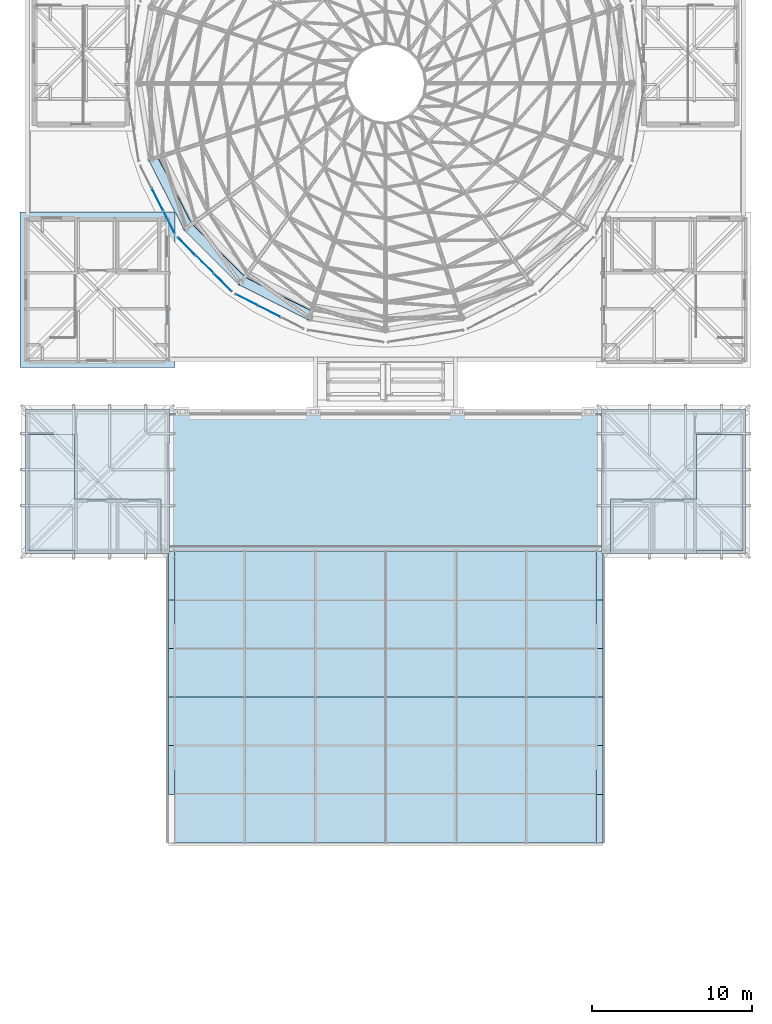
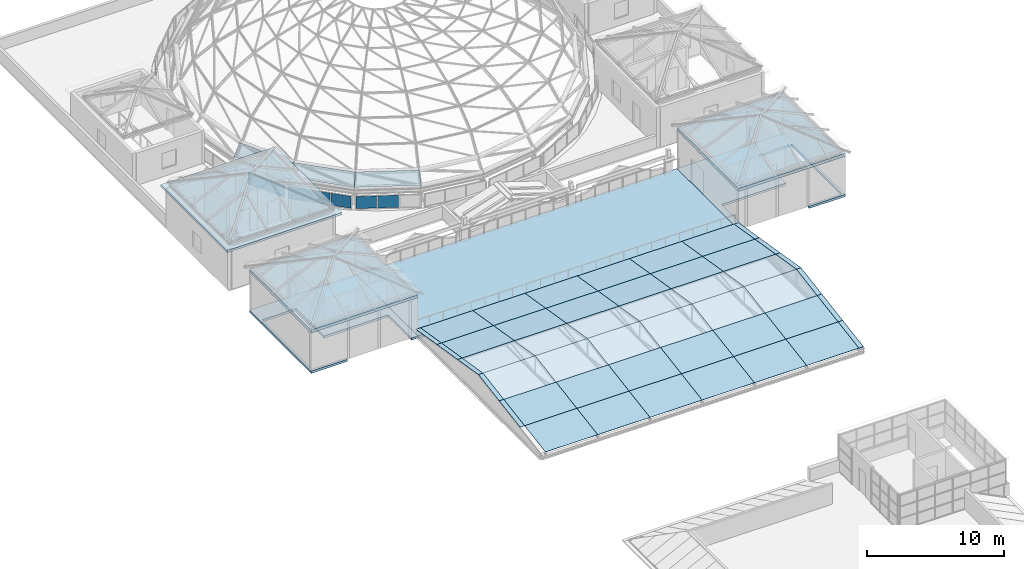
# One storey, part 41 of 69: 57 plates, 6 slabs, 3 elements without a shape of their own.
"""IFC4 building model written with IfcOpenShell, lengths in metres."""

from ifc_helpers import new_model, si_unit, direction, frame, origin, origin_2d, place, context, subcontext, project, spatial, polyline, rectangle, outline, extrude, material, layer, layer_set, type_object, element, aggregate, save


model = new_model("IFC4")

# Units and contexts
model_context = context("Model", 3, precision=1e-05, world=origin(), true_north=direction((0.0, 1.0)))
body_context = subcontext(model_context, "Body", "Model", "MODEL_VIEW")
ifc_project = project(units=[si_unit("LENGTHUNIT", "METRE"), si_unit("AREAUNIT", "SQUARE_METRE"), si_unit("VOLUMEUNIT", "CUBIC_METRE"), si_unit("PLANEANGLEUNIT", "RADIAN"), si_unit("MASSUNIT", "GRAM", prefix="KILO")], contexts=[model_context])

# Site, building, storey
site_placement = place(None, origin())
site = spatial("IfcSite", under=ifc_project, at=site_placement, CompositionType="ELEMENT")
building_placement = place(site_placement, origin())
building = spatial("IfcBuilding", under=site, at=building_placement, Name="Kallimachos Central Library", CompositionType="ELEMENT")
storey_placement = place(building_placement, frame((0.0, 0.0, 23.39990234375)))
storey = spatial("IfcBuildingStorey", under=building, at=storey_placement, Name="L05", CompositionType="ELEMENT", Elevation=23.39990234375)

# Slabs
ifc_material_1 = material(Name="Composite slab C30/37 on steel deck", Category="concrete")
ifc_layer_1 = layer(ifc_material_1, 0.199951171875)
ifc_layer_set_1 = layer_set([ifc_layer_1], Name="Composite floor slab 200")
slab_type_1 = type_object("IfcSlabType", Name="Composite floor slab 200", PredefinedType="FLOOR", material=ifc_layer_set_1)
slab_1_placement = place(storey_placement, frame((0.0, 0.0, -0.199951171875)))
element("IfcSlab", 1, at=slab_1_placement, inside=storey, type_object=slab_type_1, Name="V4-SLB-L05-003", PredefinedType="FLOOR", context=body_context, shape_type="SweptSolid", body=[
    extrude(outline(polyline([(65.5, 75.0), (65.5, 84.0), (74.5, 84.0), (74.5, 75.0), (73.949951171875, 75.0), (73.949951171875, 78.39990234375), (68.550048828125, 78.39990234375), (68.550048828125, 82.446044921875), (65.699951171875, 82.446044921875), (65.699951171875, 75.199951171875), (68.550048828125, 75.199951171875), (68.550048828125, 75.0), (65.5, 75.0)])), origin(), (0.0, 0.0, 1.0), 0.199951171875),
])
slab_2_placement = place(storey_placement, frame((0.0, 0.0, -0.199951171875)))
element("IfcSlab", 2, at=slab_2_placement, inside=storey, type_object=slab_type_1, Name="V4-SLB-L05-005", PredefinedType="FLOOR", context=body_context, shape_type="SweptSolid", body=[
    extrude(outline(polyline([(101.5, 75.0), (101.5, 84.0), (110.5, 84.0), (110.5, 75.0), (107.449951171875, 75.0), (107.449951171875, 75.199951171875), (110.300048828125, 75.199951171875), (110.300048828125, 82.446044921875), (107.449951171875, 82.446044921875), (107.449951171875, 78.39990234375), (102.050048828125, 78.39990234375), (102.050048828125, 75.0), (101.5, 75.0)])), origin(), (0.0, 0.0, 1.0), 0.199951171875),
])

# Plates
ifc_material_2 = material(Name="Laminated glass", Category="glass")
ifc_layer_2 = layer(ifc_material_2, 0.030029296875)
ifc_layer_set_2 = layer_set([ifc_layer_2], Name="Dome glass panel 30")
plate_type_1 = type_object("IfcPlateType", Name="Dome glass panel 30", PredefinedType="SHEET", material=ifc_layer_set_2)
plate_1_placement = place(storey_placement, frame((73.75732421875, 99.772216796875, 2.46484375), z_axis=(-0.762156157911, -0.388323491085, 0.517998896938), x_axis=(-0.497096673759, -0.16156507796, -0.852520746094)))
element("IfcPlate", 3, at=plate_1_placement, inside=storey, type_object=plate_type_1, Name="Dome glass panel", PredefinedType="SHEET", context=body_context, shape_type="SweptSolid", body=[
    extrude(outline(polyline([(0.0, 0.0), (1.1255171121794925, 1.3877787807814457e-17), (0.7275587673407027, 4.853086050849751), (-0.3827986788748875, 4.669731141649432), (0.0, 0.0)])), origin(), (0.0, 0.0, -1.0), 0.030029296875),
])
plate_2_placement = place(storey_placement, frame((75.88427734375, 95.597412109375, 2.46484375), z_axis=(-0.604845084518, -0.604866940595, 0.517975296621), x_axis=(-0.422852266894, -0.307224408107, -0.852531010255)))
element("IfcPlate", 4, at=plate_2_placement, inside=storey, type_object=plate_type_1, Name="Dome glass panel", PredefinedType="SHEET", context=body_context, shape_type="SweptSolid", body=[
    extrude(outline(polyline([(0.0, 0.0), (1.1253944580949489, -5.551115123125783e-17), (0.727246186529945, 4.853341685785863), (-0.3831769765637092, 4.669751153116319), (0.0, 0.0)])), origin(), (0.0, 0.0, -1.0), 0.030029296875),
])
plate_3_placement = place(storey_placement, frame((79.197509765625, 92.284423828125, 2.46484375), z_axis=(-0.388321336757, -0.76210903501, 0.51806983909), x_axis=(-0.307159050153, -0.422996369886, -0.852483072543)))
element("IfcPlate", 5, at=plate_3_placement, inside=storey, type_object=plate_type_1, Name="Dome glass panel", PredefinedType="SHEET", context=body_context, shape_type="SweptSolid", body=[
    extrude(outline(polyline([(0.0, 0.0), (1.125497707858492, 0.0), (0.7279656397542743, 4.8531209882712085), (-0.3825323209968474, 4.669864174572673), (0.0, 0.0)])), origin(), (0.0, 0.0, -1.0), 0.030029296875),
])

# Slabs
ifc_material_3 = material(Name="Concrete C30/37", Category="concrete")
ifc_layer_3 = layer(ifc_material_3, 0.199951171875)
ifc_layer_set_3 = layer_set([ifc_layer_3], Name="Head-house roof slab 200")
slab_type_2 = type_object("IfcSlabType", Name="Head-house roof slab 200", PredefinedType="ROOF", material=ifc_layer_set_3)
slab_3_placement = place(storey_placement, frame((0.0, 0.0, 3.60009765625)))
element("IfcSlab", 6, at=slab_3_placement, inside=storey, type_object=slab_type_2, Name="Head-house roof and cornice V1-SW", PredefinedType="ROOF", context=body_context, shape_type="SweptSolid", body=[
    extrude(outline(polyline([(65.14990234375, 86.64990234375), (74.85009765625, 86.64990234375), (74.85009765625, 96.35009765625), (65.14990234375, 96.35009765625), (65.14990234375, 86.64990234375)])), origin(), (0.0, 0.0, 1.0), 0.199951171875),
])
ifc_material_4 = material(Name="Concrete C30/37", Category="concrete")
ifc_layer_4 = layer(ifc_material_4, 0.25)
ifc_layer_set_4 = layer_set([ifc_layer_4], Name="Head-house roof slab 250")
slab_type_3 = type_object("IfcSlabType", Name="Head-house roof slab 250", PredefinedType="ROOF", material=ifc_layer_set_4)
slab_4_placement = place(storey_placement, frame((0.0, 0.0, 3.400146484375)))
element("IfcSlab", 7, at=slab_4_placement, inside=storey, type_object=slab_type_3, Name="V4-SLB-L05-002", PredefinedType="ROOF", context=body_context, shape_type="SweptSolid", body=[
    extrude(outline(polyline([(65.5, 75.0), (74.5, 75.0), (74.5, 84.0), (65.5, 84.0), (65.5, 75.0)])), origin(), (0.0, 0.0, 1.0), 0.25),
])
slab_5_placement = place(storey_placement, frame((0.0, 0.0, 3.400146484375)))
element("IfcSlab", 8, at=slab_5_placement, inside=storey, type_object=slab_type_3, Name="V4-SLB-L05-004", PredefinedType="ROOF", context=body_context, shape_type="SweptSolid", body=[
    extrude(outline(polyline([(101.5, 75.0), (110.5, 75.0), (110.5, 84.0), (101.5, 84.0), (101.5, 75.0)])), origin(), (0.0, 0.0, 1.0), 0.25),
])

# Curtain wall, plates
ifc_material_5 = material(Name="Anodised aluminium and laminated glass", Category="aluminium")
ifc_layer_5 = layer(ifc_material_5, 0.159912109375)
ifc_layer_set_5 = layer_set([ifc_layer_5], Name="Glass box curtain wall")
curtain_wall_type = type_object("IfcCurtainWallType", Name="Glass box curtain wall", PredefinedType="NOTDEFINED", material=ifc_layer_set_5)
curtain_wall_1_placement = place(storey_placement, origin())
curtain_wall_1 = element("IfcCurtainWall", 9, at=curtain_wall_1_placement, inside=storey, type_object=curtain_wall_type, Name="Drum clerestory facet 12", PredefinedType="NOTDEFINED")
ifc_material_6 = material(Name="Laminated glass", Category="glass")
ifc_layer_6 = layer(ifc_material_6, 0.028076171875)
ifc_layer_set_6 = layer_set([ifc_layer_6], Name="Laminated glass panel 28")
plate_type_2 = type_object("IfcPlateType", Name="Laminated glass panel 28", PredefinedType="CURTAIN_PANEL", material=ifc_layer_set_6)
plate_4_placement = place(storey_placement, frame((73.743896484375, 97.13623046875, 0.06005859375), z_axis=(0.0, 0.0, 1.0), x_axis=(0.453990803653, -0.891006369337, 0.0)))
plate_4 = element("IfcPlate", 10, at=plate_4_placement, type_object=plate_type_2, Name="CW46 panel 2.1", PredefinedType="CURTAIN_PANEL", context=body_context, shape_type="SweptSolid", body=[
    extrude(rectangle(XDim=1.54931640625, YDim=0.028076171875, at=origin_2d()), origin(), (0.0, 0.0, 1.0), 1.080078125),
])
plate_5_placement = place(storey_placement, frame((74.4677734375, 95.715576171875, 0.06005859375), z_axis=(0.0, 0.0, 1.0), x_axis=(0.453990803653, -0.891006369337, 0.0)))
plate_5 = element("IfcPlate", 11, at=plate_5_placement, type_object=plate_type_2, Name="CW46 panel 3.1", PredefinedType="CURTAIN_PANEL", context=body_context, shape_type="SweptSolid", body=[
    extrude(rectangle(XDim=1.51953125, YDim=0.028076171875, at=origin_2d()), origin(), (0.0, 0.0, 1.0), 1.080078125),
])
aggregate(curtain_wall_1, [plate_4, plate_5])

curtain_wall_2_placement = place(storey_placement, origin())
curtain_wall_2 = element("IfcCurtainWall", 12, at=curtain_wall_2_placement, inside=storey, type_object=curtain_wall_type, Name="Drum clerestory facet 13", PredefinedType="NOTDEFINED")
plate_6_placement = place(storey_placement, frame((75.558837890625, 94.213623046875, 0.06005859375), z_axis=(0.0, 0.0, 1.0), x_axis=(0.707106781187, -0.707106781187, 0.0)))
plate_6 = element("IfcPlate", 13, at=plate_6_placement, type_object=plate_type_2, Name="CW47 panel 1.1", PredefinedType="CURTAIN_PANEL", context=body_context, shape_type="SweptSolid", body=[
    extrude(rectangle(XDim=1.51953125, YDim=0.028076171875, at=origin_2d()), origin(), (0.0, 0.0, 1.0), 1.080078125),
])
plate_7_placement = place(storey_placement, frame((76.686279296875, 93.086181640625, 0.06005859375), z_axis=(0.0, 0.0, 1.0), x_axis=(0.707106781187, -0.707106781187, 0.0)))
plate_7 = element("IfcPlate", 14, at=plate_7_placement, type_object=plate_type_2, Name="CW47 panel 2.1", PredefinedType="CURTAIN_PANEL", context=body_context, shape_type="SweptSolid", body=[
    extrude(rectangle(XDim=1.549560546875, YDim=0.028076171875, at=origin_2d()), origin(), (0.0, 0.0, 1.0), 1.080078125),
])
plate_8_placement = place(storey_placement, frame((77.813720703125, 91.958740234375, 0.06005859375), z_axis=(0.0, 0.0, 1.0), x_axis=(0.707106781187, -0.707106781187, 0.0)))
plate_8 = element("IfcPlate", 15, at=plate_8_placement, type_object=plate_type_2, Name="CW47 panel 3.1", PredefinedType="CURTAIN_PANEL", context=body_context, shape_type="SweptSolid", body=[
    extrude(rectangle(XDim=1.51953125, YDim=0.028076171875, at=origin_2d()), origin(), (0.0, 0.0, 1.0), 1.080078125),
])
aggregate(curtain_wall_2, [plate_6, plate_7, plate_8])

curtain_wall_3_placement = place(storey_placement, origin())
curtain_wall_3 = element("IfcCurtainWall", 16, at=curtain_wall_3_placement, inside=storey, type_object=curtain_wall_type, Name="Drum clerestory facet 14", PredefinedType="NOTDEFINED")
plate_9_placement = place(storey_placement, frame((79.3154296875, 90.86767578125, 0.06005859375), z_axis=(0.0, 0.0, 1.0), x_axis=(0.891006369337, -0.453990803653, 0.0)))
plate_9 = element("IfcPlate", 17, at=plate_9_placement, type_object=plate_type_2, Name="CW48 panel 1.1", PredefinedType="CURTAIN_PANEL", context=body_context, shape_type="SweptSolid", body=[
    extrude(rectangle(XDim=1.51953125, YDim=0.028076171875, at=origin_2d()), origin(), (0.0, 0.0, 1.0), 1.080078125),
])
plate_10_placement = place(storey_placement, frame((80.736083984375, 90.143798828125, 0.06005859375), z_axis=(0.0, 0.0, 1.0), x_axis=(0.891006369337, -0.453990803653, 0.0)))
plate_10 = element("IfcPlate", 18, at=plate_10_placement, type_object=plate_type_2, Name="CW48 panel 2.1", PredefinedType="CURTAIN_PANEL", context=body_context, shape_type="SweptSolid", body=[
    extrude(rectangle(XDim=1.54931640625, YDim=0.028076171875, at=origin_2d()), origin(), (0.0, 0.0, 1.0), 1.080078125),
])
aggregate(curtain_wall_3, [plate_9, plate_10])

# Slab
ifc_material_7 = material(Name="Composite slab C30/37 on steel deck", Category="concrete")
ifc_layer_7 = layer(ifc_material_7, 0.25)
ifc_layer_set_7 = layer_set([ifc_layer_7], Name="Roof garden slab 250")
slab_type_4 = type_object("IfcSlabType", Name="Roof garden slab 250", PredefinedType="ROOF", material=ifc_layer_set_7)
slab_6_placement = place(storey_placement, frame((0.0, 0.0, -0.25)))
element("IfcSlab", 19, at=slab_6_placement, inside=storey, type_object=slab_type_4, Name="V4-SLB-L05-001", PredefinedType="ROOF", context=body_context, shape_type="SweptSolid", body=[
    extrude(outline(polyline([(74.5, 75.0), (74.5, 84.0), (101.5, 84.0), (101.5, 75.0), (74.5, 75.0)])), origin(), (0.0, 0.0, 1.0), 0.25),
])

# Plates
ifc_material_8 = material(Name="Laminated glass", Category="glass")
ifc_layer_8 = layer(ifc_material_8, 0.028076171875)
ifc_layer_set_8 = layer_set([ifc_layer_8], Name="Rooflight glass panel")
plate_type_3 = type_object("IfcPlateType", Name="Rooflight glass panel", PredefinedType="SHEET", material=ifc_layer_set_8)
plate_11_placement = place(storey_placement, frame((74.800048828125, 56.919921875, 0.521240234375), z_axis=(0.0, -0.162380035666, 0.986728292904), x_axis=(1.0, 0.0, 0.0)))
element("IfcPlate", 20, at=plate_11_placement, inside=storey, type_object=plate_type_3, Name="V4-PLT-L05-002", PredefinedType="SHEET", context=body_context, shape_type="SweptSolid", body=[
    extrude(outline(polyline([(0.0, 0.0), (4.39990234375, 0.0), (4.39990234375, 3.079196269099952), (0.0, 3.079196269099952), (0.0, 0.0)])), origin(), (0.0, 0.0, -1.0), 0.028076171875),
])
plate_12_placement = place(storey_placement, frame((79.199951171875, 56.919921875, 0.521240234375), z_axis=(0.0, -0.162380035666, 0.986728292904), x_axis=(1.0, 0.0, 0.0)))
element("IfcPlate", 21, at=plate_12_placement, inside=storey, type_object=plate_type_3, Name="V4-PLT-L05-003", PredefinedType="SHEET", context=body_context, shape_type="SweptSolid", body=[
    extrude(outline(polyline([(0.0, 0.0), (4.400146484375, 0.0), (4.400146484375, 3.079196269099952), (0.0, 3.079196269099952), (0.0, 0.0)])), origin(), (0.0, 0.0, -1.0), 0.028076171875),
])
for number, where, z_axis, x_axis, name in (
    (22, (83.60009765625, 56.919921875, 0.521240234375), (0.0, -0.162380035666, 0.986728292904), (1.0, 0.0, 0.0), "V4-PLT-L05-004"),
    (23, (88.0, 56.919921875, 0.521240234375), (0.0, -0.162380035666, 0.986728292904), (1.0, 0.0, 0.0), "V4-PLT-L05-005"),
):
    element("IfcPlate", number, at=place(storey_placement, frame(where, z_axis=z_axis, x_axis=x_axis)), inside=storey, type_object=plate_type_3, Name=name, PredefinedType="SHEET", context=body_context, shape_type="SweptSolid", body=[
        extrude(outline(polyline([(0.0, 0.0), (4.39990234375, 0.0), (4.39990234375, 3.079196269099952), (0.0, 3.079196269099952), (0.0, 0.0)])), origin(), (0.0, 0.0, -1.0), 0.028076171875),
    ])
plate_13_placement = place(storey_placement, frame((92.39990234375, 56.919921875, 0.521240234375), z_axis=(0.0, -0.162380035666, 0.986728292904), x_axis=(1.0, 0.0, 0.0)))
element("IfcPlate", 24, at=plate_13_placement, inside=storey, type_object=plate_type_3, Name="V4-PLT-L05-006", PredefinedType="SHEET", context=body_context, shape_type="SweptSolid", body=[
    extrude(outline(polyline([(0.0, 0.0), (4.400146484375, 0.0), (4.400146484375, 3.079196269099952), (0.0, 3.079196269099952), (0.0, 0.0)])), origin(), (0.0, 0.0, -1.0), 0.028076171875),
])
plate_14_placement = place(storey_placement, frame((96.800048828125, 56.919921875, 0.521240234375), z_axis=(0.0, -0.162380035666, 0.986728292904), x_axis=(1.0, 0.0, 0.0)))
element("IfcPlate", 25, at=plate_14_placement, inside=storey, type_object=plate_type_3, Name="V4-PLT-L05-007", PredefinedType="SHEET", context=body_context, shape_type="SweptSolid", body=[
    extrude(outline(polyline([(0.0, 0.0), (4.39990234375, 0.0), (4.39990234375, 3.079196269099952), (0.0, 3.079196269099952), (0.0, 0.0)])), origin(), (0.0, 0.0, -1.0), 0.028076171875),
])
for number, where, z_axis, x_axis, name in (
    (26, (101.199951171875, 56.919921875, 0.521240234375), (0.0, -0.162380035666, 0.986728292904), (1.0, 0.0, 0.0), "V4-PLT-L05-008"),
    (27, (74.419921875, 59.958251953125, 1.021240234375), (0.0, -0.162380035666, 0.986728292904), (1.0, 0.0, 0.0), "V4-PLT-L05-009"),
):
    element("IfcPlate", number, at=place(storey_placement, frame(where, z_axis=z_axis, x_axis=x_axis)), inside=storey, type_object=plate_type_3, Name=name, PredefinedType="SHEET", context=body_context, shape_type="SweptSolid", body=[
        extrude(outline(polyline([(0.0, 0.0), (0.380126953125, 0.0), (0.380126953125, 3.079196269099952), (0.0, 3.079196269099952), (0.0, 0.0)])), origin(), (0.0, 0.0, -1.0), 0.028076171875),
    ])
plate_15_placement = place(storey_placement, frame((74.800048828125, 59.958251953125, 1.021240234375), z_axis=(0.0, -0.162380035666, 0.986728292904), x_axis=(1.0, 0.0, 0.0)))
element("IfcPlate", 28, at=plate_15_placement, inside=storey, type_object=plate_type_3, Name="V4-PLT-L05-010", PredefinedType="SHEET", context=body_context, shape_type="SweptSolid", body=[
    extrude(outline(polyline([(0.0, 0.0), (4.39990234375, 0.0), (4.39990234375, 3.079196269099952), (0.0, 3.079196269099952), (0.0, 0.0)])), origin(), (0.0, 0.0, -1.0), 0.028076171875),
])
plate_16_placement = place(storey_placement, frame((79.199951171875, 59.958251953125, 1.021240234375), z_axis=(0.0, -0.162380035666, 0.986728292904), x_axis=(1.0, 0.0, 0.0)))
element("IfcPlate", 29, at=plate_16_placement, inside=storey, type_object=plate_type_3, Name="V4-PLT-L05-011", PredefinedType="SHEET", context=body_context, shape_type="SweptSolid", body=[
    extrude(outline(polyline([(0.0, 0.0), (4.400146484375, 0.0), (4.400146484375, 3.079196269099952), (0.0, 3.079196269099952), (0.0, 0.0)])), origin(), (0.0, 0.0, -1.0), 0.028076171875),
])
for number, where, z_axis, x_axis, name in (
    (30, (83.60009765625, 59.958251953125, 1.021240234375), (0.0, -0.162380035666, 0.986728292904), (1.0, 0.0, 0.0), "V4-PLT-L05-012"),
    (31, (88.0, 59.958251953125, 1.021240234375), (0.0, -0.162380035666, 0.986728292904), (1.0, 0.0, 0.0), "V4-PLT-L05-013"),
):
    element("IfcPlate", number, at=place(storey_placement, frame(where, z_axis=z_axis, x_axis=x_axis)), inside=storey, type_object=plate_type_3, Name=name, PredefinedType="SHEET", context=body_context, shape_type="SweptSolid", body=[
        extrude(outline(polyline([(0.0, 0.0), (4.39990234375, 0.0), (4.39990234375, 3.079196269099952), (0.0, 3.079196269099952), (0.0, 0.0)])), origin(), (0.0, 0.0, -1.0), 0.028076171875),
    ])
plate_17_placement = place(storey_placement, frame((92.39990234375, 59.958251953125, 1.021240234375), z_axis=(0.0, -0.162380035666, 0.986728292904), x_axis=(1.0, 0.0, 0.0)))
element("IfcPlate", 32, at=plate_17_placement, inside=storey, type_object=plate_type_3, Name="V4-PLT-L05-014", PredefinedType="SHEET", context=body_context, shape_type="SweptSolid", body=[
    extrude(outline(polyline([(0.0, 0.0), (4.400146484375, 0.0), (4.400146484375, 3.079196269099952), (0.0, 3.079196269099952), (0.0, 0.0)])), origin(), (0.0, 0.0, -1.0), 0.028076171875),
])
plate_18_placement = place(storey_placement, frame((96.800048828125, 59.958251953125, 1.021240234375), z_axis=(0.0, -0.162380035666, 0.986728292904), x_axis=(1.0, 0.0, 0.0)))
element("IfcPlate", 33, at=plate_18_placement, inside=storey, type_object=plate_type_3, Name="V4-PLT-L05-015", PredefinedType="SHEET", context=body_context, shape_type="SweptSolid", body=[
    extrude(outline(polyline([(0.0, 0.0), (4.39990234375, 0.0), (4.39990234375, 3.079196269099952), (0.0, 3.079196269099952), (0.0, 0.0)])), origin(), (0.0, 0.0, -1.0), 0.028076171875),
])
for number, where, z_axis, x_axis, name in (
    (34, (101.199951171875, 59.958251953125, 1.021240234375), (0.0, -0.162380035666, 0.986728292904), (1.0, 0.0, 0.0), "V4-PLT-L05-016"),
    (35, (74.419921875, 62.99658203125, 1.521240234375), (0.0, -0.162380035666, 0.986728292904), (1.0, 0.0, 0.0), "V4-PLT-L05-017"),
):
    element("IfcPlate", number, at=place(storey_placement, frame(where, z_axis=z_axis, x_axis=x_axis)), inside=storey, type_object=plate_type_3, Name=name, PredefinedType="SHEET", context=body_context, shape_type="SweptSolid", body=[
        extrude(outline(polyline([(0.0, 0.0), (0.380126953125, 0.0), (0.380126953125, 3.079196269099952), (0.0, 3.079196269099952), (0.0, 0.0)])), origin(), (0.0, 0.0, -1.0), 0.028076171875),
    ])
plate_19_placement = place(storey_placement, frame((74.800048828125, 62.99658203125, 1.521240234375), z_axis=(0.0, -0.162380035666, 0.986728292904), x_axis=(1.0, 0.0, 0.0)))
element("IfcPlate", 36, at=plate_19_placement, inside=storey, type_object=plate_type_3, Name="V4-PLT-L05-018", PredefinedType="SHEET", context=body_context, shape_type="SweptSolid", body=[
    extrude(outline(polyline([(0.0, 0.0), (4.39990234375, 0.0), (4.39990234375, 3.079196269099952), (0.0, 3.079196269099952), (0.0, 0.0)])), origin(), (0.0, 0.0, -1.0), 0.028076171875),
])
plate_20_placement = place(storey_placement, frame((79.199951171875, 62.99658203125, 1.521240234375), z_axis=(0.0, -0.162380035666, 0.986728292904), x_axis=(1.0, 0.0, 0.0)))
element("IfcPlate", 37, at=plate_20_placement, inside=storey, type_object=plate_type_3, Name="V4-PLT-L05-019", PredefinedType="SHEET", context=body_context, shape_type="SweptSolid", body=[
    extrude(outline(polyline([(0.0, 0.0), (4.400146484375, 0.0), (4.400146484375, 3.079196269099952), (0.0, 3.079196269099952), (0.0, 0.0)])), origin(), (0.0, 0.0, -1.0), 0.028076171875),
])
for number, where, z_axis, x_axis, name in (
    (38, (83.60009765625, 62.99658203125, 1.521240234375), (0.0, -0.162380035666, 0.986728292904), (1.0, 0.0, 0.0), "V4-PLT-L05-020"),
    (39, (88.0, 62.99658203125, 1.521240234375), (0.0, -0.162380035666, 0.986728292904), (1.0, 0.0, 0.0), "V4-PLT-L05-021"),
):
    element("IfcPlate", number, at=place(storey_placement, frame(where, z_axis=z_axis, x_axis=x_axis)), inside=storey, type_object=plate_type_3, Name=name, PredefinedType="SHEET", context=body_context, shape_type="SweptSolid", body=[
        extrude(outline(polyline([(0.0, 0.0), (4.39990234375, 0.0), (4.39990234375, 3.079196269099952), (0.0, 3.079196269099952), (0.0, 0.0)])), origin(), (0.0, 0.0, -1.0), 0.028076171875),
    ])
plate_21_placement = place(storey_placement, frame((92.39990234375, 62.99658203125, 1.521240234375), z_axis=(0.0, -0.162380035666, 0.986728292904), x_axis=(1.0, 0.0, 0.0)))
element("IfcPlate", 40, at=plate_21_placement, inside=storey, type_object=plate_type_3, Name="V4-PLT-L05-022", PredefinedType="SHEET", context=body_context, shape_type="SweptSolid", body=[
    extrude(outline(polyline([(0.0, 0.0), (4.400146484375, 0.0), (4.400146484375, 3.079196269099952), (0.0, 3.079196269099952), (0.0, 0.0)])), origin(), (0.0, 0.0, -1.0), 0.028076171875),
])
plate_22_placement = place(storey_placement, frame((96.800048828125, 62.99658203125, 1.521240234375), z_axis=(0.0, -0.162380035666, 0.986728292904), x_axis=(1.0, 0.0, 0.0)))
element("IfcPlate", 41, at=plate_22_placement, inside=storey, type_object=plate_type_3, Name="V4-PLT-L05-023", PredefinedType="SHEET", context=body_context, shape_type="SweptSolid", body=[
    extrude(outline(polyline([(0.0, 0.0), (4.39990234375, 0.0), (4.39990234375, 3.079196269099952), (0.0, 3.079196269099952), (0.0, 0.0)])), origin(), (0.0, 0.0, -1.0), 0.028076171875),
])
plate_23_placement = place(storey_placement, frame((101.199951171875, 62.99658203125, 1.521240234375), z_axis=(0.0, -0.162380035666, 0.986728292904), x_axis=(1.0, 0.0, 0.0)))
element("IfcPlate", 42, at=plate_23_placement, inside=storey, type_object=plate_type_3, Name="V4-PLT-L05-024", PredefinedType="SHEET", context=body_context, shape_type="SweptSolid", body=[
    extrude(outline(polyline([(0.0, 0.0), (0.380126953125, 0.0), (0.380126953125, 3.079196269099952), (0.0, 3.079196269099952), (0.0, 0.0)])), origin(), (0.0, 0.0, -1.0), 0.028076171875),
])
plate_24_placement = place(storey_placement, frame((74.419921875, 75.14990234375, 0.521240234375), z_axis=(0.0, 0.162380035666, 0.986728292904), x_axis=(1.0, 0.0, 0.0)))
element("IfcPlate", 43, at=plate_24_placement, inside=storey, type_object=plate_type_3, Name="V4-PLT-L05-025", PredefinedType="SHEET", context=body_context, shape_type="SweptSolid", body=[
    extrude(outline(polyline([(0.0, 0.0), (0.380126953125, 0.0), (0.380126953125, -3.079196269099952), (0.0, -3.079196269099952), (0.0, 0.0)])), origin(), (0.0, 0.0, -1.0), 0.028076171875),
])
plate_25_placement = place(storey_placement, frame((74.800048828125, 75.14990234375, 0.521240234375), z_axis=(0.0, 0.162380035666, 0.986728292904), x_axis=(1.0, 0.0, 0.0)))
element("IfcPlate", 44, at=plate_25_placement, inside=storey, type_object=plate_type_3, Name="V4-PLT-L05-026", PredefinedType="SHEET", context=body_context, shape_type="SweptSolid", body=[
    extrude(outline(polyline([(0.0, 0.0), (4.39990234375, 0.0), (4.39990234375, -3.079196269099952), (0.0, -3.079196269099952), (0.0, 0.0)])), origin(), (0.0, 0.0, -1.0), 0.028076171875),
])
plate_26_placement = place(storey_placement, frame((79.199951171875, 75.14990234375, 0.521240234375), z_axis=(0.0, 0.162380035666, 0.986728292904), x_axis=(1.0, 0.0, 0.0)))
element("IfcPlate", 45, at=plate_26_placement, inside=storey, type_object=plate_type_3, Name="V4-PLT-L05-027", PredefinedType="SHEET", context=body_context, shape_type="SweptSolid", body=[
    extrude(outline(polyline([(0.0, 0.0), (4.400146484375, 0.0), (4.400146484375, -3.079196269099952), (0.0, -3.079196269099952), (0.0, 0.0)])), origin(), (0.0, 0.0, -1.0), 0.028076171875),
])
for number, where, z_axis, x_axis, name in (
    (46, (83.60009765625, 75.14990234375, 0.521240234375), (0.0, 0.162380035666, 0.986728292904), (1.0, 0.0, 0.0), "V4-PLT-L05-028"),
    (47, (88.0, 75.14990234375, 0.521240234375), (0.0, 0.162380035666, 0.986728292904), (1.0, 0.0, 0.0), "V4-PLT-L05-029"),
):
    element("IfcPlate", number, at=place(storey_placement, frame(where, z_axis=z_axis, x_axis=x_axis)), inside=storey, type_object=plate_type_3, Name=name, PredefinedType="SHEET", context=body_context, shape_type="SweptSolid", body=[
        extrude(outline(polyline([(0.0, 0.0), (4.39990234375, 0.0), (4.39990234375, -3.079196269099952), (0.0, -3.079196269099952), (0.0, 0.0)])), origin(), (0.0, 0.0, -1.0), 0.028076171875),
    ])
plate_27_placement = place(storey_placement, frame((92.39990234375, 75.14990234375, 0.521240234375), z_axis=(0.0, 0.162380035666, 0.986728292904), x_axis=(1.0, 0.0, 0.0)))
element("IfcPlate", 48, at=plate_27_placement, inside=storey, type_object=plate_type_3, Name="V4-PLT-L05-030", PredefinedType="SHEET", context=body_context, shape_type="SweptSolid", body=[
    extrude(outline(polyline([(0.0, 0.0), (4.400146484375, 0.0), (4.400146484375, -3.079196269099952), (0.0, -3.079196269099952), (0.0, 0.0)])), origin(), (0.0, 0.0, -1.0), 0.028076171875),
])
plate_28_placement = place(storey_placement, frame((96.800048828125, 75.14990234375, 0.521240234375), z_axis=(0.0, 0.162380035666, 0.986728292904), x_axis=(1.0, 0.0, 0.0)))
element("IfcPlate", 49, at=plate_28_placement, inside=storey, type_object=plate_type_3, Name="V4-PLT-L05-031", PredefinedType="SHEET", context=body_context, shape_type="SweptSolid", body=[
    extrude(outline(polyline([(0.0, 0.0), (4.39990234375, 0.0), (4.39990234375, -3.079196269099952), (0.0, -3.079196269099952), (0.0, 0.0)])), origin(), (0.0, 0.0, -1.0), 0.028076171875),
])
for number, where, z_axis, x_axis, name in (
    (50, (101.199951171875, 75.14990234375, 0.521240234375), (0.0, 0.162380035666, 0.986728292904), (1.0, 0.0, 0.0), "V4-PLT-L05-032"),
    (51, (74.419921875, 72.111572265625, 1.021240234375), (0.0, 0.162380035666, 0.986728292904), (1.0, 0.0, 0.0), "V4-PLT-L05-033"),
):
    element("IfcPlate", number, at=place(storey_placement, frame(where, z_axis=z_axis, x_axis=x_axis)), inside=storey, type_object=plate_type_3, Name=name, PredefinedType="SHEET", context=body_context, shape_type="SweptSolid", body=[
        extrude(outline(polyline([(0.0, 0.0), (0.380126953125, 0.0), (0.380126953125, -3.079196269099952), (0.0, -3.079196269099952), (0.0, 0.0)])), origin(), (0.0, 0.0, -1.0), 0.028076171875),
    ])
plate_29_placement = place(storey_placement, frame((74.800048828125, 72.111572265625, 1.021240234375), z_axis=(0.0, 0.162380035666, 0.986728292904), x_axis=(1.0, 0.0, 0.0)))
element("IfcPlate", 52, at=plate_29_placement, inside=storey, type_object=plate_type_3, Name="V4-PLT-L05-034", PredefinedType="SHEET", context=body_context, shape_type="SweptSolid", body=[
    extrude(outline(polyline([(0.0, 0.0), (4.39990234375, 0.0), (4.39990234375, -3.079196269099952), (0.0, -3.079196269099952), (0.0, 0.0)])), origin(), (0.0, 0.0, -1.0), 0.028076171875),
])
plate_30_placement = place(storey_placement, frame((79.199951171875, 72.111572265625, 1.021240234375), z_axis=(0.0, 0.162380035666, 0.986728292904), x_axis=(1.0, 0.0, 0.0)))
element("IfcPlate", 53, at=plate_30_placement, inside=storey, type_object=plate_type_3, Name="V4-PLT-L05-035", PredefinedType="SHEET", context=body_context, shape_type="SweptSolid", body=[
    extrude(outline(polyline([(0.0, 0.0), (4.400146484375, 0.0), (4.400146484375, -3.079196269099952), (0.0, -3.079196269099952), (0.0, 0.0)])), origin(), (0.0, 0.0, -1.0), 0.028076171875),
])
for number, where, z_axis, x_axis, name in (
    (54, (83.60009765625, 72.111572265625, 1.021240234375), (0.0, 0.162380035666, 0.986728292904), (1.0, 0.0, 0.0), "V4-PLT-L05-036"),
    (55, (88.0, 72.111572265625, 1.021240234375), (0.0, 0.162380035666, 0.986728292904), (1.0, 0.0, 0.0), "V4-PLT-L05-037"),
):
    element("IfcPlate", number, at=place(storey_placement, frame(where, z_axis=z_axis, x_axis=x_axis)), inside=storey, type_object=plate_type_3, Name=name, PredefinedType="SHEET", context=body_context, shape_type="SweptSolid", body=[
        extrude(outline(polyline([(0.0, 0.0), (4.39990234375, 0.0), (4.39990234375, -3.079196269099952), (0.0, -3.079196269099952), (0.0, 0.0)])), origin(), (0.0, 0.0, -1.0), 0.028076171875),
    ])
plate_31_placement = place(storey_placement, frame((92.39990234375, 72.111572265625, 1.021240234375), z_axis=(0.0, 0.162380035666, 0.986728292904), x_axis=(1.0, 0.0, 0.0)))
element("IfcPlate", 56, at=plate_31_placement, inside=storey, type_object=plate_type_3, Name="V4-PLT-L05-038", PredefinedType="SHEET", context=body_context, shape_type="SweptSolid", body=[
    extrude(outline(polyline([(0.0, 0.0), (4.400146484375, 0.0), (4.400146484375, -3.079196269099952), (0.0, -3.079196269099952), (0.0, 0.0)])), origin(), (0.0, 0.0, -1.0), 0.028076171875),
])
plate_32_placement = place(storey_placement, frame((96.800048828125, 72.111572265625, 1.021240234375), z_axis=(0.0, 0.162380035666, 0.986728292904), x_axis=(1.0, 0.0, 0.0)))
element("IfcPlate", 57, at=plate_32_placement, inside=storey, type_object=plate_type_3, Name="V4-PLT-L05-039", PredefinedType="SHEET", context=body_context, shape_type="SweptSolid", body=[
    extrude(outline(polyline([(0.0, 0.0), (4.39990234375, 0.0), (4.39990234375, -3.079196269099952), (0.0, -3.079196269099952), (0.0, 0.0)])), origin(), (0.0, 0.0, -1.0), 0.028076171875),
])
for number, where, z_axis, x_axis, name in (
    (58, (101.199951171875, 72.111572265625, 1.021240234375), (0.0, 0.162380035666, 0.986728292904), (1.0, 0.0, 0.0), "V4-PLT-L05-040"),
    (59, (74.419921875, 69.0732421875, 1.521240234375), (0.0, 0.162380035666, 0.986728292904), (1.0, 0.0, 0.0), "V4-PLT-L05-041"),
):
    element("IfcPlate", number, at=place(storey_placement, frame(where, z_axis=z_axis, x_axis=x_axis)), inside=storey, type_object=plate_type_3, Name=name, PredefinedType="SHEET", context=body_context, shape_type="SweptSolid", body=[
        extrude(outline(polyline([(0.0, 0.0), (0.380126953125, 0.0), (0.380126953125, -3.079196269099952), (0.0, -3.079196269099952), (0.0, 0.0)])), origin(), (0.0, 0.0, -1.0), 0.028076171875),
    ])
plate_33_placement = place(storey_placement, frame((74.800048828125, 69.0732421875, 1.521240234375), z_axis=(0.0, 0.162380035666, 0.986728292904), x_axis=(1.0, 0.0, 0.0)))
element("IfcPlate", 60, at=plate_33_placement, inside=storey, type_object=plate_type_3, Name="V4-PLT-L05-042", PredefinedType="SHEET", context=body_context, shape_type="SweptSolid", body=[
    extrude(outline(polyline([(0.0, 0.0), (4.39990234375, 0.0), (4.39990234375, -3.079196269099952), (0.0, -3.079196269099952), (0.0, 0.0)])), origin(), (0.0, 0.0, -1.0), 0.028076171875),
])
plate_34_placement = place(storey_placement, frame((79.199951171875, 69.0732421875, 1.521240234375), z_axis=(0.0, 0.162380035666, 0.986728292904), x_axis=(1.0, 0.0, 0.0)))
element("IfcPlate", 61, at=plate_34_placement, inside=storey, type_object=plate_type_3, Name="V4-PLT-L05-043", PredefinedType="SHEET", context=body_context, shape_type="SweptSolid", body=[
    extrude(outline(polyline([(0.0, 0.0), (4.400146484375, 0.0), (4.400146484375, -3.079196269099952), (0.0, -3.079196269099952), (0.0, 0.0)])), origin(), (0.0, 0.0, -1.0), 0.028076171875),
])
for number, where, z_axis, x_axis, name in (
    (62, (83.60009765625, 69.0732421875, 1.521240234375), (0.0, 0.162380035666, 0.986728292904), (1.0, 0.0, 0.0), "V4-PLT-L05-044"),
    (63, (88.0, 69.0732421875, 1.521240234375), (0.0, 0.162380035666, 0.986728292904), (1.0, 0.0, 0.0), "V4-PLT-L05-045"),
):
    element("IfcPlate", number, at=place(storey_placement, frame(where, z_axis=z_axis, x_axis=x_axis)), inside=storey, type_object=plate_type_3, Name=name, PredefinedType="SHEET", context=body_context, shape_type="SweptSolid", body=[
        extrude(outline(polyline([(0.0, 0.0), (4.39990234375, 0.0), (4.39990234375, -3.079196269099952), (0.0, -3.079196269099952), (0.0, 0.0)])), origin(), (0.0, 0.0, -1.0), 0.028076171875),
    ])
plate_35_placement = place(storey_placement, frame((92.39990234375, 69.0732421875, 1.521240234375), z_axis=(0.0, 0.162380035666, 0.986728292904), x_axis=(1.0, 0.0, 0.0)))
element("IfcPlate", 64, at=plate_35_placement, inside=storey, type_object=plate_type_3, Name="V4-PLT-L05-046", PredefinedType="SHEET", context=body_context, shape_type="SweptSolid", body=[
    extrude(outline(polyline([(0.0, 0.0), (4.400146484375, 0.0), (4.400146484375, -3.079196269099952), (0.0, -3.079196269099952), (0.0, 0.0)])), origin(), (0.0, 0.0, -1.0), 0.028076171875),
])
plate_36_placement = place(storey_placement, frame((96.800048828125, 69.0732421875, 1.521240234375), z_axis=(0.0, 0.162380035666, 0.986728292904), x_axis=(1.0, 0.0, 0.0)))
element("IfcPlate", 65, at=plate_36_placement, inside=storey, type_object=plate_type_3, Name="V4-PLT-L05-047", PredefinedType="SHEET", context=body_context, shape_type="SweptSolid", body=[
    extrude(outline(polyline([(0.0, 0.0), (4.39990234375, 0.0), (4.39990234375, -3.079196269099952), (0.0, -3.079196269099952), (0.0, 0.0)])), origin(), (0.0, 0.0, -1.0), 0.028076171875),
])
plate_37_placement = place(storey_placement, frame((101.199951171875, 69.0732421875, 1.521240234375), z_axis=(0.0, 0.162380035666, 0.986728292904), x_axis=(1.0, 0.0, 0.0)))
element("IfcPlate", 66, at=plate_37_placement, inside=storey, type_object=plate_type_3, Name="V4-PLT-L05-048", PredefinedType="SHEET", context=body_context, shape_type="SweptSolid", body=[
    extrude(outline(polyline([(0.0, 0.0), (0.380126953125, 0.0), (0.380126953125, -3.079196269099952), (0.0, -3.079196269099952), (0.0, 0.0)])), origin(), (0.0, 0.0, -1.0), 0.028076171875),
])

save(model, "model.ifc")
